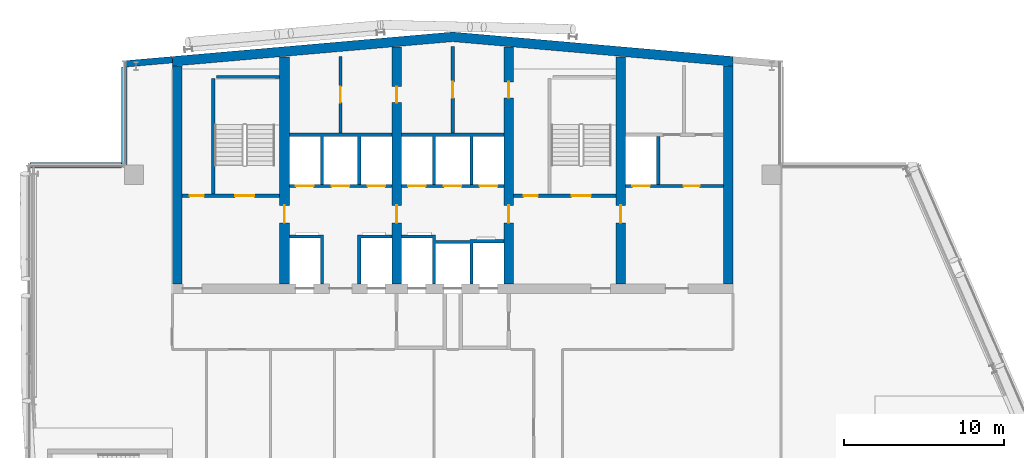
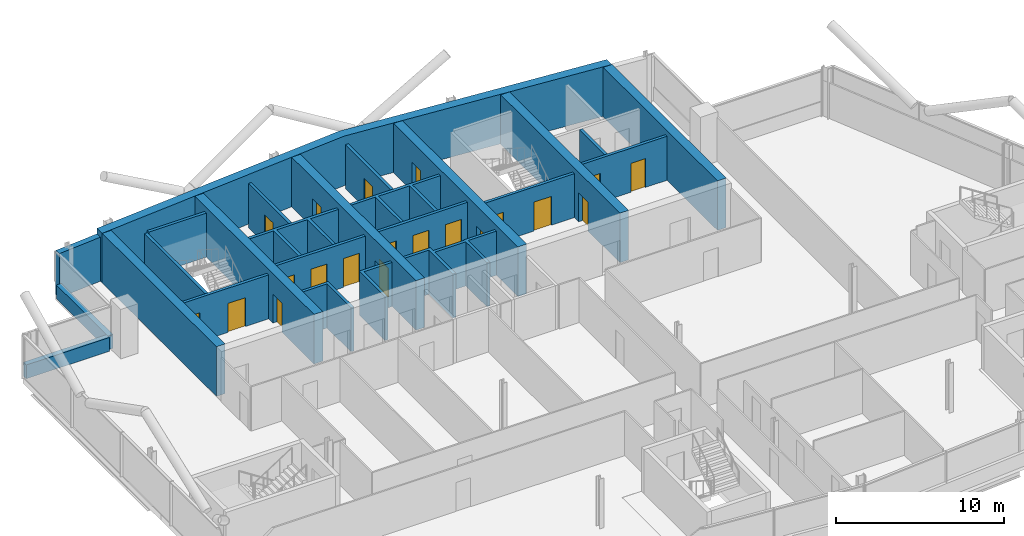
# One storey, part 17 of 26: 25 walls, 20 doors, 20 openings.
"""IFC4 building model written with IfcOpenShell, lengths in metres."""

from ifc_helpers import new_model, si_unit, direction, frame, frame_2d, origin, place, context, subcontext, project, spatial, polyline, rectangle, outline, extrude, material, layer, layer_set, type_object, element, fill, save


model = new_model("IFC4")

# Units and contexts
model_context = context("Model", 3, precision=1e-05, world=origin(), true_north=direction((0.0, 1.0)))
body_context = subcontext(model_context, "Body", "Model", "MODEL_VIEW")
ifc_project = project(units=[si_unit("LENGTHUNIT", "METRE"), si_unit("AREAUNIT", "SQUARE_METRE"), si_unit("VOLUMEUNIT", "CUBIC_METRE"), si_unit("PLANEANGLEUNIT", "RADIAN"), si_unit("MASSUNIT", "GRAM", prefix="KILO")], contexts=[model_context])

# Site, building, storey
site_placement = place(None, origin())
site = spatial("IfcSite", under=ifc_project, at=site_placement, CompositionType="ELEMENT")
building_placement = place(site_placement, origin())
building = spatial("IfcBuilding", under=site, at=building_placement, Name="Wharfspan Tower", CompositionType="ELEMENT")
storey_placement = place(building_placement, frame((0.0, 0.0, 214.300049)))
storey = spatial("IfcBuildingStorey", under=building, at=storey_placement, Name="L53", CompositionType="ELEMENT", Elevation=214.300049)

# Wall, opening, door
ifc_material_1 = material(Name="Calcium silicate masonry", Category="masonry")
ifc_layer_1 = layer(ifc_material_1, 0.199951)
ifc_layer_set_1 = layer_set([ifc_layer_1], Name="Calcium silicate masonry")
wall_type_1 = type_object("IfcWallType", Name="Core room wall 200", PredefinedType="PARTITIONING", material=ifc_layer_set_1)
wall_1_placement = place(storey_placement, frame((33.5, 44.0, 0.0), z_axis=(0.0, 0.0, 1.0), x_axis=(0.0, 1.0, 0.0)))
wall_1 = element("IfcWall", 1, at=wall_1_placement, inside=storey, type_object=wall_type_1, Name="sw:L53:RP3.1", PredefinedType="PARTITIONING", context=body_context, shape_type="SweptSolid", body=[
    extrude(rectangle(XDim=4.803711, YDim=0.199951, at=frame_2d((2.401855, 0.0))), origin(), (0.0, 0.0, 1.0), 3.199951),
])
opening_1_placement = place(wall_1_placement, frame((1.901855, 0.0, 0.0)))
opening_1 = element("IfcOpeningElement", 2, at=opening_1_placement, cuts=wall_1, Name="Opening CD53.3P1", PredefinedType="OPENING", context=body_context, shape_type="SweptSolid", body=[
    extrude(rectangle(XDim=1.0, YDim=2.100098, at=frame_2d((0.5, 1.050049))), frame((0.0, 0.109863, 0.0), z_axis=(0.0, -1.0, 0.0), x_axis=(1.0, 0.0, 0.0)), (0.0, 0.0, 1.0), 0.219971),
])
ifc_material_2 = material(Name="Steel door leaf", Category="steel")
door_type_1 = type_object("IfcDoorType", Name="Core room door 1000x2100", OperationType="SINGLE_SWING_LEFT", PredefinedType="DOOR", material=ifc_material_2)
door_1_placement = place(opening_1_placement, origin())
door_1 = element("IfcDoor", 3, at=door_1_placement, inside=storey, type_object=door_type_1, Name="d:L53:3:rp1", OperationType="SINGLE_SWING_LEFT", OverallHeight=2.100098, OverallWidth=1.0, PredefinedType="DOOR", context=body_context, shape_type="SweptSolid", body=[
    extrude(rectangle(XDim=1.0, YDim=2.100098, at=frame_2d((0.5, 1.050049))), frame((0.0, 0.024902, 0.0), z_axis=(0.0, -1.0, 0.0), x_axis=(1.0, 0.0, 0.0)), (0.0, 0.0, 1.0), 0.050049),
])
fill(opening_1, door_1)

wall_2_placement = place(storey_placement, frame((40.5, 44.0, 0.0), z_axis=(0.0, 0.0, 1.0), x_axis=(0.0, 1.0, 0.0)))
wall_2 = element("IfcWall", 4, at=wall_2_placement, inside=storey, type_object=wall_type_1, Name="sw:L53:RP4.1", PredefinedType="PARTITIONING", context=body_context, shape_type="SweptSolid", body=[
    extrude(rectangle(XDim=5.41626, YDim=0.199951, at=frame_2d((2.708008, 0.0))), origin(), (0.0, 0.0, 1.0), 3.199951),
])
opening_2_placement = place(wall_2_placement, frame((2.208008, 0.0, 0.0)))
opening_2 = element("IfcOpeningElement", 5, at=opening_2_placement, cuts=wall_2, Name="Opening CD53.4P1", PredefinedType="OPENING", context=body_context, shape_type="SweptSolid", body=[
    extrude(rectangle(XDim=1.0, YDim=2.100098, at=frame_2d((0.5, 1.050049))), frame((0.0, 0.109863, 0.0), z_axis=(0.0, -1.0, 0.0), x_axis=(1.0, 0.0, 0.0)), (0.0, 0.0, 1.0), 0.219971),
])
door_2_placement = place(opening_2_placement, origin())
door_2 = element("IfcDoor", 6, at=door_2_placement, inside=storey, type_object=door_type_1, Name="d:L53:4:rp1", OperationType="SINGLE_SWING_LEFT", OverallHeight=2.100098, OverallWidth=1.0, PredefinedType="DOOR", context=body_context, shape_type="SweptSolid", body=[
    extrude(rectangle(XDim=1.0, YDim=2.100098, at=frame_2d((0.5, 1.050049))), frame((0.0, 0.024902, 0.0), z_axis=(0.0, -1.0, 0.0), x_axis=(1.0, 0.0, 0.0)), (0.0, 0.0, 1.0), 0.050049),
])
fill(opening_2, door_2)

# Walls
ifc_material_3 = material(Name="Concrete C50/60", Category="concrete")
ifc_layer_2 = layer(ifc_material_3, 0.600098)
ifc_layer_set_2 = layer_set([ifc_layer_2], Name="Concrete C50/60")
wall_type_2 = type_object("IfcWallType", Name="Core wall 600 C50/60", PredefinedType="SHEAR", material=ifc_layer_set_2)
wall_3_placement = place(storey_placement, frame((0.0, 0.0, -0.000244)))
element("IfcWall", 7, at=wall_3_placement, inside=storey, type_object=wall_type_2, Name="Core rear wall L53", PredefinedType="SHEAR", context=body_context, shape_type="SweptSolid", body=[
    extrude(outline(polyline([(23.0, 48.185059), (40.5, 49.716064), (58.0, 48.185059), (58.0, 48.787354), (40.5, 50.318359), (23.0, 48.787354), (23.0, 48.185059)])), origin(), (0.0, 0.0, 1.0), 3.600098),
])
wall_4_placement = place(storey_placement, frame((23.300049, 34.600098, 0.0), z_axis=(0.0, 0.0, 1.0), x_axis=(0.0, 1.0, 0.0)))
element("IfcWall", 8, at=wall_4_placement, inside=storey, type_object=wall_type_2, Name="Core cross wall EW0 L53", PredefinedType="SHEAR", context=body_context, shape_type="SweptSolid", body=[
    extrude(rectangle(XDim=13.584961, YDim=0.600098, at=frame_2d((6.79248, 0.0))), origin(), (0.0, 0.0, 1.0), 3.599854),
])

# Wall, opening, door
wall_5_placement = place(storey_placement, frame((30.0, 34.600098, 0.0), z_axis=(0.0, 0.0, 1.0), x_axis=(0.0, 1.0, 0.0)))
wall_5 = element("IfcWall", 9, at=wall_5_placement, inside=storey, type_object=wall_type_2, Name="Core cross wall X3 L53", PredefinedType="SHEAR", context=body_context, shape_type="SweptSolid", body=[
    extrude(rectangle(XDim=14.171143, YDim=0.600098, at=frame_2d((7.085449, 0.0))), origin(), (0.0, 0.0, 1.0), 3.599854),
])
opening_3_placement = place(wall_5_placement, frame((3.800049, 0.0, 0.0)))
opening_3 = element("IfcOpeningElement", 10, at=opening_3_placement, cuts=wall_5, Name="Opening CC53.3", PredefinedType="OPENING", context=body_context, shape_type="SweptSolid", body=[
    extrude(rectangle(XDim=1.100098, YDim=2.100098, at=frame_2d((0.550049, 1.050049))), frame((0.0, 0.310059, 0.0), z_axis=(0.0, -1.0, 0.0), x_axis=(1.0, 0.0, 0.0)), (0.0, 0.0, 1.0), 0.620117),
])
door_type_2 = type_object("IfcDoorType", Name="Core corridor door 1100x2100", OperationType="SINGLE_SWING_LEFT", PredefinedType="DOOR", material=ifc_material_2)
door_3_placement = place(opening_3_placement, origin())
door_3 = element("IfcDoor", 11, at=door_3_placement, inside=storey, type_object=door_type_2, Name="xd:L53:3", OperationType="SINGLE_SWING_LEFT", OverallHeight=2.100098, OverallWidth=1.100098, PredefinedType="DOOR", context=body_context, shape_type="SweptSolid", body=[
    extrude(rectangle(XDim=1.100098, YDim=2.100098, at=frame_2d((0.550049, 1.050049))), frame((0.0, 0.024902, 0.0), z_axis=(0.0, -1.0, 0.0), x_axis=(1.0, 0.0, 0.0)), (0.0, 0.0, 1.0), 0.050049),
])
fill(opening_3, door_3)

# Wall, openings, doors
wall_6_placement = place(storey_placement, frame((37.0, 34.600098, 0.0), z_axis=(0.0, 0.0, 1.0), x_axis=(0.0, 1.0, 0.0)))
wall_6 = element("IfcWall", 12, at=wall_6_placement, inside=storey, type_object=wall_type_2, Name="Core cross wall X4 L53", PredefinedType="SHEAR", context=body_context, shape_type="SweptSolid", body=[
    extrude(rectangle(XDim=14.783691, YDim=0.600098, at=frame_2d((7.391846, 0.0))), origin(), (0.0, 0.0, 1.0), 3.599854),
])
opening_4_placement = place(wall_6_placement, frame((11.302002, 0.0, 0.0)))
opening_4 = element("IfcOpeningElement", 13, at=opening_4_placement, cuts=wall_6, Name="Opening CD53.3X", PredefinedType="OPENING", context=body_context, shape_type="SweptSolid", body=[
    extrude(rectangle(XDim=1.0, YDim=2.100098, at=frame_2d((0.5, 1.050049))), frame((0.0, 0.310059, 0.0), z_axis=(0.0, -1.0, 0.0), x_axis=(1.0, 0.0, 0.0)), (0.0, 0.0, 1.0), 0.620117),
])
opening_5_placement = place(wall_6_placement, frame((3.800049, 0.0, 0.0)))
opening_5 = element("IfcOpeningElement", 14, at=opening_5_placement, cuts=wall_6, Name="Opening CC53.4", PredefinedType="OPENING", context=body_context, shape_type="SweptSolid", body=[
    extrude(rectangle(XDim=1.100098, YDim=2.100098, at=frame_2d((0.550049, 1.050049))), frame((0.0, 0.310059, 0.0), z_axis=(0.0, -1.0, 0.0), x_axis=(1.0, 0.0, 0.0)), (0.0, 0.0, 1.0), 0.620117),
])
door_4_placement = place(opening_5_placement, origin())
door_4 = element("IfcDoor", 15, at=door_4_placement, inside=storey, type_object=door_type_2, Name="xd:L53:4", OperationType="SINGLE_SWING_RIGHT", OverallHeight=2.100098, OverallWidth=1.100098, PredefinedType="DOOR", context=body_context, shape_type="SweptSolid", body=[
    extrude(rectangle(XDim=1.100098, YDim=2.100098, at=frame_2d((0.550049, 1.050049))), frame((0.0, 0.024902, 0.0), z_axis=(0.0, -1.0, 0.0), x_axis=(1.0, 0.0, 0.0)), (0.0, 0.0, 1.0), 0.050049),
])
fill(opening_5, door_4)
door_5_placement = place(opening_4_placement, origin())
door_5 = element("IfcDoor", 16, at=door_5_placement, inside=storey, type_object=door_type_1, Name="d:L53:3:sx", OperationType="SINGLE_SWING_LEFT", OverallHeight=2.100098, OverallWidth=1.0, PredefinedType="DOOR", context=body_context, shape_type="SweptSolid", body=[
    extrude(rectangle(XDim=1.0, YDim=2.100098, at=frame_2d((0.5, 1.050049))), frame((0.0, 0.024902, 0.0), z_axis=(0.0, -1.0, 0.0), x_axis=(1.0, 0.0, 0.0)), (0.0, 0.0, 1.0), 0.050049),
])
fill(opening_4, door_5)

wall_7_placement = place(storey_placement, frame((44.0, 34.600098, 0.0), z_axis=(0.0, 0.0, 1.0), x_axis=(0.0, 1.0, 0.0)))
wall_7 = element("IfcWall", 17, at=wall_7_placement, inside=storey, type_object=wall_type_2, Name="Core cross wall X5 L53", PredefinedType="SHEAR", context=body_context, shape_type="SweptSolid", body=[
    extrude(rectangle(XDim=14.783691, YDim=0.600098, at=frame_2d((7.391846, 0.0))), origin(), (0.0, 0.0, 1.0), 3.599854),
])
opening_6_placement = place(wall_7_placement, frame((11.608154, 0.0, 0.0)))
opening_6 = element("IfcOpeningElement", 18, at=opening_6_placement, cuts=wall_7, Name="Opening CD53.4X", PredefinedType="OPENING", context=body_context, shape_type="SweptSolid", body=[
    extrude(rectangle(XDim=1.0, YDim=2.100098, at=frame_2d((0.5, 1.050049))), frame((0.0, 0.310059, 0.0), z_axis=(0.0, -1.0, 0.0), x_axis=(1.0, 0.0, 0.0)), (0.0, 0.0, 1.0), 0.620117),
])
opening_7_placement = place(wall_7_placement, frame((3.800049, 0.0, 0.0)))
opening_7 = element("IfcOpeningElement", 19, at=opening_7_placement, cuts=wall_7, Name="Opening CC53.5", PredefinedType="OPENING", context=body_context, shape_type="SweptSolid", body=[
    extrude(rectangle(XDim=1.100098, YDim=2.100098, at=frame_2d((0.550049, 1.050049))), frame((0.0, 0.310059, 0.0), z_axis=(0.0, -1.0, 0.0), x_axis=(1.0, 0.0, 0.0)), (0.0, 0.0, 1.0), 0.620117),
])
door_6_placement = place(opening_7_placement, origin())
door_6 = element("IfcDoor", 20, at=door_6_placement, inside=storey, type_object=door_type_2, Name="xd:L53:5", OperationType="SINGLE_SWING_LEFT", OverallHeight=2.100098, OverallWidth=1.100098, PredefinedType="DOOR", context=body_context, shape_type="SweptSolid", body=[
    extrude(rectangle(XDim=1.100098, YDim=2.100098, at=frame_2d((0.550049, 1.050049))), frame((0.0, 0.024902, 0.0), z_axis=(0.0, -1.0, 0.0), x_axis=(1.0, 0.0, 0.0)), (0.0, 0.0, 1.0), 0.050049),
])
fill(opening_7, door_6)
door_7_placement = place(opening_6_placement, origin())
door_7 = element("IfcDoor", 21, at=door_7_placement, inside=storey, type_object=door_type_1, Name="d:L53:4:sx", OperationType="SINGLE_SWING_LEFT", OverallHeight=2.100098, OverallWidth=1.0, PredefinedType="DOOR", context=body_context, shape_type="SweptSolid", body=[
    extrude(rectangle(XDim=1.0, YDim=2.100098, at=frame_2d((0.5, 1.050049))), frame((0.0, 0.024902, 0.0), z_axis=(0.0, -1.0, 0.0), x_axis=(1.0, 0.0, 0.0)), (0.0, 0.0, 1.0), 0.050049),
])
fill(opening_6, door_7)

# Wall, opening, door
wall_8_placement = place(storey_placement, frame((51.0, 34.600098, 0.0), z_axis=(0.0, 0.0, 1.0), x_axis=(0.0, 1.0, 0.0)))
wall_8 = element("IfcWall", 22, at=wall_8_placement, inside=storey, type_object=wall_type_2, Name="Core cross wall X6 L53", PredefinedType="SHEAR", context=body_context, shape_type="SweptSolid", body=[
    extrude(rectangle(XDim=14.171143, YDim=0.600098, at=frame_2d((7.085449, 0.0))), origin(), (0.0, 0.0, 1.0), 3.599854),
])
opening_8_placement = place(wall_8_placement, frame((3.800049, 0.0, 0.0)))
opening_8 = element("IfcOpeningElement", 23, at=opening_8_placement, cuts=wall_8, Name="Opening CC53.6", PredefinedType="OPENING", context=body_context, shape_type="SweptSolid", body=[
    extrude(rectangle(XDim=1.100098, YDim=2.100098, at=frame_2d((0.550049, 1.050049))), frame((0.0, 0.310059, 0.0), z_axis=(0.0, -1.0, 0.0), x_axis=(1.0, 0.0, 0.0)), (0.0, 0.0, 1.0), 0.620117),
])
door_8_placement = place(opening_8_placement, origin())
door_8 = element("IfcDoor", 24, at=door_8_placement, inside=storey, type_object=door_type_2, Name="xd:L53:6", OperationType="SINGLE_SWING_RIGHT", OverallHeight=2.100098, OverallWidth=1.100098, PredefinedType="DOOR", context=body_context, shape_type="SweptSolid", body=[
    extrude(rectangle(XDim=1.100098, YDim=2.100098, at=frame_2d((0.550049, 1.050049))), frame((0.0, 0.024902, 0.0), z_axis=(0.0, -1.0, 0.0), x_axis=(1.0, 0.0, 0.0)), (0.0, 0.0, 1.0), 0.050049),
])
fill(opening_8, door_8)

# Wall
wall_9_placement = place(storey_placement, frame((57.699951, 34.600098, 0.0), z_axis=(0.0, 0.0, 1.0), x_axis=(0.0, 1.0, 0.0)))
element("IfcWall", 25, at=wall_9_placement, inside=storey, type_object=wall_type_2, Name="Core cross wall EW1 L53", PredefinedType="SHEAR", context=body_context, shape_type="SweptSolid", body=[
    extrude(rectangle(XDim=13.584961, YDim=0.600098, at=frame_2d((6.79248, 0.0))), origin(), (0.0, 0.0, 1.0), 3.599854),
])

# Wall, openings, doors
ifc_material_4 = material(Name="Concrete C30/37", Category="concrete")
ifc_layer_3 = layer(ifc_material_4, 0.199951)
ifc_layer_set_3 = layer_set([ifc_layer_3], Name="Concrete C30/37")
wall_type_3 = type_object("IfcWallType", Name="Lift shaft wall 200", PredefinedType="PARTITIONING", material=ifc_layer_set_3)
wall_10_placement = place(storey_placement, frame((30.300049, 40.699951, 0.0), z_axis=(0.0, 0.0, 1.0), x_axis=(1.0, 0.0, 0.0)))
wall_10 = element("IfcWall", 26, at=wall_10_placement, inside=storey, type_object=wall_type_3, Name="sw:L53:RF3", PredefinedType="PARTITIONING", context=body_context, shape_type="SweptSolid", body=[
    extrude(rectangle(XDim=6.399902, YDim=0.199951, at=frame_2d((3.199951, 0.0))), origin(), (0.0, 0.0, 1.0), 3.199951),
])
opening_9_placement = place(wall_10_placement, frame((0.416748, 0.0, 0.0)))
opening_9 = element("IfcOpeningElement", 27, at=opening_9_placement, cuts=wall_10, Name="Opening LD.LB1.L53", PredefinedType="OPENING", context=body_context, shape_type="SweptSolid", body=[
    extrude(rectangle(XDim=1.100098, YDim=2.100098, at=frame_2d((0.550049, 1.050049))), frame((0.0, 0.109863, 0.0), z_axis=(0.0, -1.0, 0.0), x_axis=(1.0, 0.0, 0.0)), (0.0, 0.0, 1.0), 0.219971),
])
opening_10_placement = place(wall_10_placement, frame((2.649902, 0.0, 0.0)))
opening_10 = element("IfcOpeningElement", 28, at=opening_10_placement, cuts=wall_10, Name="Opening LD.LB2.L53", PredefinedType="OPENING", context=body_context, shape_type="SweptSolid", body=[
    extrude(rectangle(XDim=1.100098, YDim=2.100098, at=frame_2d((0.550049, 1.050049))), frame((0.0, 0.109863, 0.0), z_axis=(0.0, -1.0, 0.0), x_axis=(1.0, 0.0, 0.0)), (0.0, 0.0, 1.0), 0.219971),
])
opening_11_placement = place(wall_10_placement, frame((4.883301, 0.0, 0.0)))
opening_11 = element("IfcOpeningElement", 29, at=opening_11_placement, cuts=wall_10, Name="Opening LD.LB3.L53", PredefinedType="OPENING", context=body_context, shape_type="SweptSolid", body=[
    extrude(rectangle(XDim=1.100098, YDim=2.100098, at=frame_2d((0.550049, 1.050049))), frame((0.0, 0.109863, 0.0), z_axis=(0.0, -1.0, 0.0), x_axis=(1.0, 0.0, 0.0)), (0.0, 0.0, 1.0), 0.219971),
])
ifc_material_5 = material(Name="Stainless steel", Category="steel")
door_type_3 = type_object("IfcDoorType", Name="Lift landing door 1100x2100", OperationType="DOUBLE_DOOR_SLIDING", PredefinedType="DOOR", material=ifc_material_5)
door_9_placement = place(opening_9_placement, origin())
door_9 = element("IfcDoor", 30, at=door_9_placement, inside=storey, type_object=door_type_3, Name="Landing door LB1 L53", OperationType="DOUBLE_DOOR_SLIDING", OverallHeight=2.100098, OverallWidth=1.100098, PredefinedType="DOOR", context=body_context, shape_type="SweptSolid", body=[
    extrude(rectangle(XDim=1.100098, YDim=2.100098, at=frame_2d((0.550049, 1.050049))), frame((0.0, 0.024902, 0.0), z_axis=(0.0, -1.0, 0.0), x_axis=(1.0, 0.0, 0.0)), (0.0, 0.0, 1.0), 0.050049),
])
fill(opening_9, door_9)
door_10_placement = place(opening_10_placement, origin())
door_10 = element("IfcDoor", 31, at=door_10_placement, inside=storey, type_object=door_type_3, Name="Landing door LB2 L53", OperationType="DOUBLE_DOOR_SLIDING", OverallHeight=2.100098, OverallWidth=1.100098, PredefinedType="DOOR", context=body_context, shape_type="SweptSolid", body=[
    extrude(rectangle(XDim=1.100098, YDim=2.100098, at=frame_2d((0.550049, 1.050049))), frame((0.0, 0.024902, 0.0), z_axis=(0.0, -1.0, 0.0), x_axis=(1.0, 0.0, 0.0)), (0.0, 0.0, 1.0), 0.050049),
])
fill(opening_10, door_10)
door_11_placement = place(opening_11_placement, origin())
door_11 = element("IfcDoor", 32, at=door_11_placement, inside=storey, type_object=door_type_3, Name="Landing door LB3 L53", OperationType="DOUBLE_DOOR_SLIDING", OverallHeight=2.100098, OverallWidth=1.100098, PredefinedType="DOOR", context=body_context, shape_type="SweptSolid", body=[
    extrude(rectangle(XDim=1.100098, YDim=2.100098, at=frame_2d((0.550049, 1.050049))), frame((0.0, 0.024902, 0.0), z_axis=(0.0, -1.0, 0.0), x_axis=(1.0, 0.0, 0.0)), (0.0, 0.0, 1.0), 0.050049),
])
fill(opening_11, door_11)

# Walls
wall_11_placement = place(storey_placement, frame((0.0, 0.0, -0.000244)))
element("IfcWall", 33, at=wall_11_placement, inside=storey, type_object=wall_type_3, Name="sw:L53:FM3.0", PredefinedType="PARTITIONING", context=body_context, shape_type="SweptSolid", body=[
    extrude(outline(polyline([(32.233398, 37.449951), (30.300049, 37.449951), (30.300049, 37.649902), (32.233398, 37.649902), (32.43335, 37.649902), (32.43335, 34.600098), (32.233398, 34.600098), (32.233398, 37.449951)])), origin(), (0.0, 0.0, 1.0), 3.200195),
])
wall_12_placement = place(storey_placement, frame((0.0, 0.0, -0.000244)))
element("IfcWall", 34, at=wall_12_placement, inside=storey, type_object=wall_type_3, Name="sw:L53:FM3.1", PredefinedType="PARTITIONING", context=body_context, shape_type="SweptSolid", body=[
    extrude(outline(polyline([(34.56665, 37.649902), (34.766602, 37.649902), (36.699951, 37.649902), (36.699951, 37.449951), (34.766602, 37.449951), (34.766602, 34.600098), (34.56665, 34.600098), (34.56665, 37.649902)])), origin(), (0.0, 0.0, 1.0), 3.200195),
])
wall_13_placement = place(storey_placement, frame((0.0, 0.0, -0.000244)))
element("IfcWall", 35, at=wall_13_placement, inside=storey, type_object=wall_type_3, Name="sw:L53:RM3.0", PredefinedType="PARTITIONING", context=body_context, shape_type="SweptSolid", body=[
    extrude(outline(polyline([(32.43335, 40.800049), (32.233398, 40.800049), (32.233398, 43.800049), (30.300049, 43.800049), (30.300049, 44.0), (36.699951, 44.0), (36.699951, 43.800049), (34.766602, 43.800049), (34.766602, 40.800049), (34.56665, 40.800049), (34.56665, 43.800049), (32.43335, 43.800049), (32.43335, 40.800049)])), origin(), (0.0, 0.0, 1.0), 3.200195),
])

# Wall, openings, doors
wall_14_placement = place(storey_placement, frame((37.300049, 40.699951, 0.0), z_axis=(0.0, 0.0, 1.0), x_axis=(1.0, 0.0, 0.0)))
wall_14 = element("IfcWall", 36, at=wall_14_placement, inside=storey, type_object=wall_type_3, Name="sw:L53:RF4", PredefinedType="PARTITIONING", context=body_context, shape_type="SweptSolid", body=[
    extrude(rectangle(XDim=6.399902, YDim=0.199951, at=frame_2d((3.199951, 0.0))), origin(), (0.0, 0.0, 1.0), 3.199951),
])
opening_12_placement = place(wall_14_placement, frame((0.416748, 0.0, 0.0)))
opening_12 = element("IfcOpeningElement", 37, at=opening_12_placement, cuts=wall_14, Name="Opening LD.LB4.L53", PredefinedType="OPENING", context=body_context, shape_type="SweptSolid", body=[
    extrude(rectangle(XDim=1.100098, YDim=2.100098, at=frame_2d((0.550049, 1.050049))), frame((0.0, 0.109863, 0.0), z_axis=(0.0, -1.0, 0.0), x_axis=(1.0, 0.0, 0.0)), (0.0, 0.0, 1.0), 0.219971),
])
opening_13_placement = place(wall_14_placement, frame((2.649902, 0.0, 0.0)))
opening_13 = element("IfcOpeningElement", 38, at=opening_13_placement, cuts=wall_14, Name="Opening LD.LB5.L53", PredefinedType="OPENING", context=body_context, shape_type="SweptSolid", body=[
    extrude(rectangle(XDim=1.100098, YDim=2.100098, at=frame_2d((0.550049, 1.050049))), frame((0.0, 0.109863, 0.0), z_axis=(0.0, -1.0, 0.0), x_axis=(1.0, 0.0, 0.0)), (0.0, 0.0, 1.0), 0.219971),
])
opening_14_placement = place(wall_14_placement, frame((4.883301, 0.0, 0.0)))
opening_14 = element("IfcOpeningElement", 39, at=opening_14_placement, cuts=wall_14, Name="Opening LD.LB6.L53", PredefinedType="OPENING", context=body_context, shape_type="SweptSolid", body=[
    extrude(rectangle(XDim=1.100098, YDim=2.100098, at=frame_2d((0.550049, 1.050049))), frame((0.0, 0.109863, 0.0), z_axis=(0.0, -1.0, 0.0), x_axis=(1.0, 0.0, 0.0)), (0.0, 0.0, 1.0), 0.219971),
])
door_12_placement = place(opening_12_placement, origin())
door_12 = element("IfcDoor", 40, at=door_12_placement, inside=storey, type_object=door_type_3, Name="Landing door LB4 L53", OperationType="DOUBLE_DOOR_SLIDING", OverallHeight=2.100098, OverallWidth=1.100098, PredefinedType="DOOR", context=body_context, shape_type="SweptSolid", body=[
    extrude(rectangle(XDim=1.100098, YDim=2.100098, at=frame_2d((0.550049, 1.050049))), frame((0.0, 0.024902, 0.0), z_axis=(0.0, -1.0, 0.0), x_axis=(1.0, 0.0, 0.0)), (0.0, 0.0, 1.0), 0.050049),
])
fill(opening_12, door_12)
door_13_placement = place(opening_13_placement, origin())
door_13 = element("IfcDoor", 41, at=door_13_placement, inside=storey, type_object=door_type_3, Name="Landing door LB5 L53", OperationType="DOUBLE_DOOR_SLIDING", OverallHeight=2.100098, OverallWidth=1.100098, PredefinedType="DOOR", context=body_context, shape_type="SweptSolid", body=[
    extrude(rectangle(XDim=1.100098, YDim=2.100098, at=frame_2d((0.550049, 1.050049))), frame((0.0, 0.024902, 0.0), z_axis=(0.0, -1.0, 0.0), x_axis=(1.0, 0.0, 0.0)), (0.0, 0.0, 1.0), 0.050049),
])
fill(opening_13, door_13)
door_14_placement = place(opening_14_placement, origin())
door_14 = element("IfcDoor", 42, at=door_14_placement, inside=storey, type_object=door_type_3, Name="Landing door LB6 L53", OperationType="DOUBLE_DOOR_SLIDING", OverallHeight=2.100098, OverallWidth=1.100098, PredefinedType="DOOR", context=body_context, shape_type="SweptSolid", body=[
    extrude(rectangle(XDim=1.100098, YDim=2.100098, at=frame_2d((0.550049, 1.050049))), frame((0.0, 0.024902, 0.0), z_axis=(0.0, -1.0, 0.0), x_axis=(1.0, 0.0, 0.0)), (0.0, 0.0, 1.0), 0.050049),
])
fill(opening_14, door_14)

# Walls
wall_15_placement = place(storey_placement, frame((0.0, 0.0, -0.000244)))
element("IfcWall", 43, at=wall_15_placement, inside=storey, type_object=wall_type_3, Name="sw:L53:FM4.0", PredefinedType="PARTITIONING", context=body_context, shape_type="SweptSolid", body=[
    extrude(outline(polyline([(41.56665, 37.100098), (39.43335, 37.100098), (39.43335, 34.600098), (39.233398, 34.600098), (39.233398, 37.449951), (37.300049, 37.449951), (37.300049, 37.649902), (39.233398, 37.649902), (39.43335, 37.649902), (39.43335, 37.300049), (41.56665, 37.300049), (41.56665, 37.350098), (41.766602, 37.350098), (43.699951, 37.350098), (43.699951, 37.149902), (41.766602, 37.149902), (41.766602, 34.600098), (41.56665, 34.600098), (41.56665, 37.100098)])), origin(), (0.0, 0.0, 1.0), 3.200195),
])
wall_16_placement = place(storey_placement, frame((0.0, 0.0, -0.000244)))
element("IfcWall", 44, at=wall_16_placement, inside=storey, type_object=wall_type_3, Name="sw:L53:RM4.0", PredefinedType="PARTITIONING", context=body_context, shape_type="SweptSolid", body=[
    extrude(outline(polyline([(39.43335, 40.800049), (39.233398, 40.800049), (39.233398, 43.800049), (37.300049, 43.800049), (37.300049, 44.0), (43.699951, 44.0), (43.699951, 43.800049), (41.766602, 43.800049), (41.766602, 40.800049), (41.56665, 40.800049), (41.56665, 43.800049), (39.43335, 43.800049), (39.43335, 40.800049)])), origin(), (0.0, 0.0, 1.0), 3.200195),
])

# Wall, openings, doors
wall_17_placement = place(storey_placement, frame((51.300049, 40.699951, 0.0), z_axis=(0.0, 0.0, 1.0), x_axis=(1.0, 0.0, 0.0)))
wall_17 = element("IfcWall", 45, at=wall_17_placement, inside=storey, type_object=wall_type_3, Name="sw:L53:RF6", PredefinedType="PARTITIONING", context=body_context, shape_type="SweptSolid", body=[
    extrude(rectangle(XDim=6.099854, YDim=0.199951, at=frame_2d((3.049805, 0.0))), origin(), (0.0, 0.0, 1.0), 3.199951),
])
opening_15_placement = place(wall_17_placement, frame((0.416748, 0.0, 0.0)))
opening_15 = element("IfcOpeningElement", 46, at=opening_15_placement, cuts=wall_17, Name="Opening LD.LB8.L53", PredefinedType="OPENING", context=body_context, shape_type="SweptSolid", body=[
    extrude(rectangle(XDim=1.100098, YDim=2.100098, at=frame_2d((0.550049, 1.050049))), frame((0.0, 0.109863, 0.0), z_axis=(0.0, -1.0, 0.0), x_axis=(1.0, 0.0, 0.0)), (0.0, 0.0, 1.0), 0.219971),
])
opening_16_placement = place(wall_17_placement, frame((3.616699, 0.0, 0.0)))
opening_16 = element("IfcOpeningElement", 47, at=opening_16_placement, cuts=wall_17, Name="Opening CD53.6R2", PredefinedType="OPENING", context=body_context, shape_type="SweptSolid", body=[
    extrude(rectangle(XDim=1.0, YDim=2.100098, at=frame_2d((0.5, 1.050049))), frame((0.0, 0.109863, 0.0), z_axis=(0.0, -1.0, 0.0), x_axis=(1.0, 0.0, 0.0)), (0.0, 0.0, 1.0), 0.219971),
])
door_15_placement = place(opening_16_placement, origin())
door_15 = element("IfcDoor", 48, at=door_15_placement, inside=storey, type_object=door_type_1, Name="d:L53:6:rd6.2", OperationType="SINGLE_SWING_RIGHT", OverallHeight=2.100098, OverallWidth=1.0, PredefinedType="DOOR", context=body_context, shape_type="SweptSolid", body=[
    extrude(rectangle(XDim=1.0, YDim=2.100098, at=frame_2d((0.5, 1.050049))), frame((0.0, 0.024902, 0.0), z_axis=(0.0, -1.0, 0.0), x_axis=(1.0, 0.0, 0.0)), (0.0, 0.0, 1.0), 0.050049),
])
fill(opening_16, door_15)
door_16_placement = place(opening_15_placement, origin())
door_16 = element("IfcDoor", 49, at=door_16_placement, inside=storey, type_object=door_type_3, Name="Landing door LB8 L53", OperationType="DOUBLE_DOOR_SLIDING", OverallHeight=2.100098, OverallWidth=1.100098, PredefinedType="DOOR", context=body_context, shape_type="SweptSolid", body=[
    extrude(rectangle(XDim=1.100098, YDim=2.100098, at=frame_2d((0.550049, 1.050049))), frame((0.0, 0.024902, 0.0), z_axis=(0.0, -1.0, 0.0), x_axis=(1.0, 0.0, 0.0)), (0.0, 0.0, 1.0), 0.050049),
])
fill(opening_15, door_16)

# Walls
wall_18_placement = place(storey_placement, frame((0.0, 0.0, -0.000244)))
element("IfcWall", 50, at=wall_18_placement, inside=storey, type_object=wall_type_3, Name="sw:L53:RM6.0", PredefinedType="PARTITIONING", context=body_context, shape_type="SweptSolid", body=[
    extrude(outline(polyline([(53.43335, 40.800049), (53.43335, 43.800049), (53.233398, 43.800049), (53.233398, 40.800049), (53.43335, 40.800049)])), origin(), (0.0, 0.0, 1.0), 3.200195),
])
ifc_material_6 = material(Name="Concrete C40/50", Category="concrete")
ifc_layer_4 = layer(ifc_material_6, 0.350098)
ifc_layer_set_4 = layer_set([ifc_layer_4], Name="Concrete C40/50")
wall_type_4 = type_object("IfcWallType", Name="SPANDREL EXPOSED CONCRETE 350", PredefinedType="SOLIDWALL", material=ifc_layer_set_4)
wall_19_placement = place(storey_placement, frame((19.995117, 48.126465, 0.0), z_axis=(0.0, 0.0, 1.0), x_axis=(0.0, -1.0, 0.0)))
element("IfcWall", 51, at=wall_19_placement, inside=storey, type_object=wall_type_4, Name="Spandrel upstand L53 NRW-V", PredefinedType="SOLIDWALL", context=body_context, shape_type="SweptSolid", body=[
    extrude(rectangle(XDim=6.126465, YDim=0.350098, at=frame_2d((3.063232, 0.0))), origin(), (0.0, 0.0, 1.0), 1.0),
])
wall_20_placement = place(storey_placement, frame((19.820068, 42.004883, 0.0), z_axis=(0.0, 0.0, 1.0), x_axis=(-1.0, 0.0, 0.0)))
element("IfcWall", 52, at=wall_20_placement, inside=storey, type_object=wall_type_4, Name="Spandrel upstand L53 NRW-H", PredefinedType="SOLIDWALL", context=body_context, shape_type="SweptSolid", body=[
    extrude(rectangle(XDim=5.699951, YDim=0.350098, at=frame_2d((2.850098, 0.0))), origin(), (0.0, 0.0, 1.0), 1.0),
])

# Wall, openings, doors
ifc_layer_5 = layer(ifc_material_6, 0.199951)
ifc_layer_set_5 = layer_set([ifc_layer_5], Name="Concrete C40/50")
wall_type_5 = type_object("IfcWallType", Name="Stair shaft wall 200", PredefinedType="SHEAR", material=ifc_layer_set_5)
wall_21_placement = place(storey_placement, frame((23.600098, 40.100098, 0.0), z_axis=(0.0, 0.0, 1.0), x_axis=(1.0, 0.0, 0.0)))
wall_21 = element("IfcWall", 53, at=wall_21_placement, inside=storey, type_object=wall_type_5, Name="ST1 stair enclosure wall L53", PredefinedType="SHEAR", context=body_context, shape_type="SweptSolid", body=[
    extrude(rectangle(XDim=6.099854, YDim=0.199951, at=frame_2d((3.049805, 0.0))), origin(), (0.0, 0.0, 1.0), 3.199951),
])
opening_17_placement = place(wall_21_placement, frame((3.324951, 0.0, 0.0)))
opening_17 = element("IfcOpeningElement", 54, at=opening_17_placement, cuts=wall_21, Name="Opening SD2.L53", PredefinedType="OPENING", context=body_context, shape_type="SweptSolid", body=[
    extrude(rectangle(XDim=1.199951, YDim=2.100098, at=frame_2d((0.600098, 1.050049))), frame((0.0, 0.109863, 0.0), z_axis=(0.0, -1.0, 0.0), x_axis=(1.0, 0.0, 0.0)), (0.0, 0.0, 1.0), 0.219971),
])
opening_18_placement = place(wall_21_placement, frame((0.475098, 0.0, 0.0)))
opening_18 = element("IfcOpeningElement", 55, at=opening_18_placement, cuts=wall_21, Name="Opening CD53.2R", PredefinedType="OPENING", context=body_context, shape_type="SweptSolid", body=[
    extrude(rectangle(XDim=0.899902, YDim=2.100098, at=frame_2d((0.449951, 1.050049))), frame((0.0, 0.109863, 0.0), z_axis=(0.0, -1.0, 0.0), x_axis=(1.0, 0.0, 0.0)), (0.0, 0.0, 1.0), 0.219971),
])
door_17_placement = place(opening_18_placement, origin())
door_17 = element("IfcDoor", 56, at=door_17_placement, inside=storey, type_object=door_type_1, Name="rk:L53:2", OperationType="SINGLE_SWING_LEFT", OverallHeight=2.100098, OverallWidth=0.899902, PredefinedType="DOOR", context=body_context, shape_type="SweptSolid", body=[
    extrude(rectangle(XDim=0.899902, YDim=2.100098, at=frame_2d((0.449951, 1.050049))), frame((0.0, 0.024902, 0.0), z_axis=(0.0, -1.0, 0.0), x_axis=(1.0, 0.0, 0.0)), (0.0, 0.0, 1.0), 0.050049),
])
fill(opening_18, door_17)
door_type_4 = type_object("IfcDoorType", Name="Stair door 1200x2100", OperationType="SINGLE_SWING_LEFT", PredefinedType="DOOR", material=ifc_material_2)
door_18_placement = place(opening_17_placement, origin())
door_18 = element("IfcDoor", 57, at=door_18_placement, inside=storey, type_object=door_type_4, Name="sd:L53:2", OperationType="SINGLE_SWING_RIGHT", OverallHeight=2.100098, OverallWidth=1.199951, PredefinedType="DOOR", context=body_context, shape_type="SweptSolid", body=[
    extrude(rectangle(XDim=1.199951, YDim=2.100098, at=frame_2d((0.600098, 1.050049))), frame((0.0, 0.024902, 0.0), z_axis=(0.0, -1.0, 0.0), x_axis=(1.0, 0.0, 0.0)), (0.0, 0.0, 1.0), 0.050049),
])
fill(opening_17, door_18)

# Walls
wall_22_placement = place(storey_placement, frame((25.550049, 40.199951, 0.0), z_axis=(0.0, 0.0, 1.0), x_axis=(0.0, 1.0, 0.0)))
element("IfcWall", 58, at=wall_22_placement, inside=storey, type_object=wall_type_5, Name="ST1 stair enclosure wall L53", PredefinedType="SHEAR", context=body_context, shape_type="SweptSolid", body=[
    extrude(rectangle(XDim=7.199951, YDim=0.199951, at=frame_2d((3.600098, 0.0))), origin(), (0.0, 0.0, 1.0), 3.199951),
])
wall_23_placement = place(storey_placement, frame((25.75, 47.5, 0.0), z_axis=(0.0, 0.0, 1.0), x_axis=(1.0, 0.0, 0.0)))
element("IfcWall", 59, at=wall_23_placement, inside=storey, type_object=wall_type_5, Name="ST1 stair enclosure wall L53", PredefinedType="SHEAR", context=body_context, shape_type="SweptSolid", body=[
    extrude(rectangle(XDim=3.949951, YDim=0.199951, at=frame_2d((1.975098, 0.0))), origin(), (0.0, 0.0, 1.0), 3.199951),
])

# Wall, openings, doors
wall_24_placement = place(storey_placement, frame((44.300049, 40.100098, 0.0), z_axis=(0.0, 0.0, 1.0), x_axis=(1.0, 0.0, 0.0)))
wall_24 = element("IfcWall", 60, at=wall_24_placement, inside=storey, type_object=wall_type_5, Name="ST2 stair enclosure wall L53", PredefinedType="SHEAR", context=body_context, shape_type="SweptSolid", body=[
    extrude(rectangle(XDim=6.399902, YDim=0.199951, at=frame_2d((3.199951, 0.0))), origin(), (0.0, 0.0, 1.0), 3.199951),
])
opening_19_placement = place(wall_24_placement, frame((3.625, 0.0, 0.0)))
opening_19 = element("IfcOpeningElement", 61, at=opening_19_placement, cuts=wall_24, Name="Opening SD5.L53", PredefinedType="OPENING", context=body_context, shape_type="SweptSolid", body=[
    extrude(rectangle(XDim=1.199951, YDim=2.100098, at=frame_2d((0.600098, 1.050049))), frame((0.0, 0.109863, 0.0), z_axis=(0.0, -1.0, 0.0), x_axis=(1.0, 0.0, 0.0)), (0.0, 0.0, 1.0), 0.219971),
])
opening_20_placement = place(wall_24_placement, frame((0.625, 0.0, 0.0)))
opening_20 = element("IfcOpeningElement", 62, at=opening_20_placement, cuts=wall_24, Name="Opening CD53.5R", PredefinedType="OPENING", context=body_context, shape_type="SweptSolid", body=[
    extrude(rectangle(XDim=0.899902, YDim=2.100098, at=frame_2d((0.449951, 1.050049))), frame((0.0, 0.109863, 0.0), z_axis=(0.0, -1.0, 0.0), x_axis=(1.0, 0.0, 0.0)), (0.0, 0.0, 1.0), 0.219971),
])
door_19_placement = place(opening_20_placement, origin())
door_19 = element("IfcDoor", 63, at=door_19_placement, inside=storey, type_object=door_type_1, Name="rk:L53:5", OperationType="SINGLE_SWING_LEFT", OverallHeight=2.100098, OverallWidth=0.899902, PredefinedType="DOOR", context=body_context, shape_type="SweptSolid", body=[
    extrude(rectangle(XDim=0.899902, YDim=2.100098, at=frame_2d((0.449951, 1.050049))), frame((0.0, 0.024902, 0.0), z_axis=(0.0, -1.0, 0.0), x_axis=(1.0, 0.0, 0.0)), (0.0, 0.0, 1.0), 0.050049),
])
fill(opening_20, door_19)
door_20_placement = place(opening_19_placement, origin())
door_20 = element("IfcDoor", 64, at=door_20_placement, inside=storey, type_object=door_type_4, Name="sd:L53:5", OperationType="SINGLE_SWING_RIGHT", OverallHeight=2.100098, OverallWidth=1.199951, PredefinedType="DOOR", context=body_context, shape_type="SweptSolid", body=[
    extrude(rectangle(XDim=1.199951, YDim=2.100098, at=frame_2d((0.600098, 1.050049))), frame((0.0, 0.024902, 0.0), z_axis=(0.0, -1.0, 0.0), x_axis=(1.0, 0.0, 0.0)), (0.0, 0.0, 1.0), 0.050049),
])
fill(opening_19, door_20)

# Wall
ifc_layer_6 = layer(ifc_material_6, 0.399902)
ifc_layer_set_6 = layer_set([ifc_layer_6], Name="Concrete C40/50")
wall_type_6 = type_object("IfcWallType", Name="WALL EXPOSED CONCRETE 400", PredefinedType="SOLIDWALL", material=ifc_layer_set_6)
wall_25_placement = place(storey_placement, frame((23.0, 48.58667, 0.0), z_axis=(0.0, 0.0, 1.0), x_axis=(-0.996194, -0.087168, 0.0)))
element("IfcWall", 65, at=wall_25_placement, inside=storey, type_object=wall_type_6, Name="Rear wall N1", PredefinedType="SOLIDWALL", context=body_context, shape_type="SweptSolid", body=[
    extrude(rectangle(XDim=2.994141, YDim=0.399902, at=frame_2d((1.49707, 0.0))), origin(), (0.0, 0.0, 1.0), 3.199951),
])

save(model, "model.ifc")
